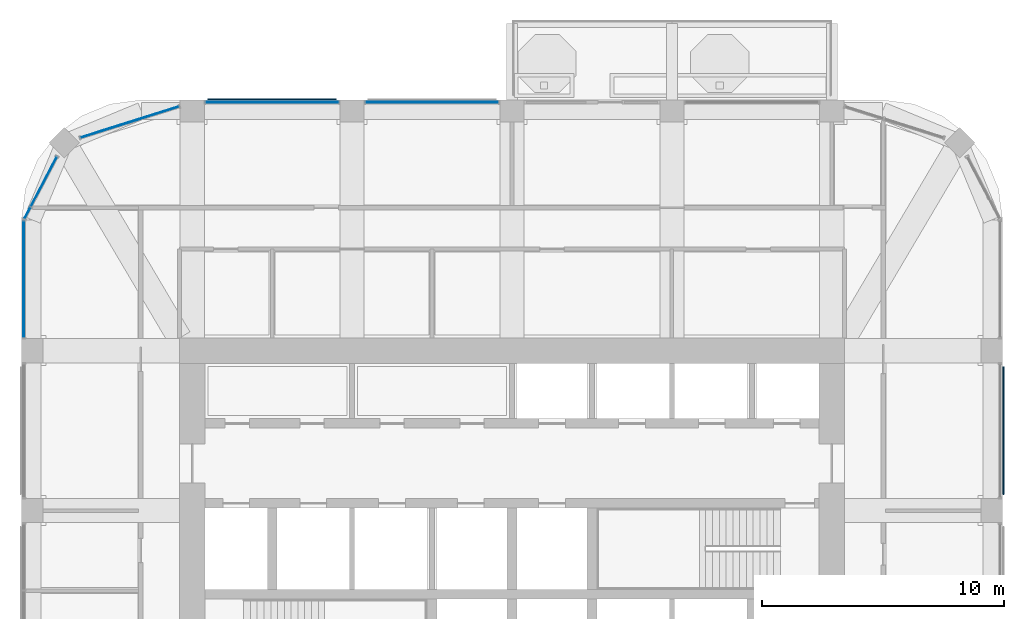
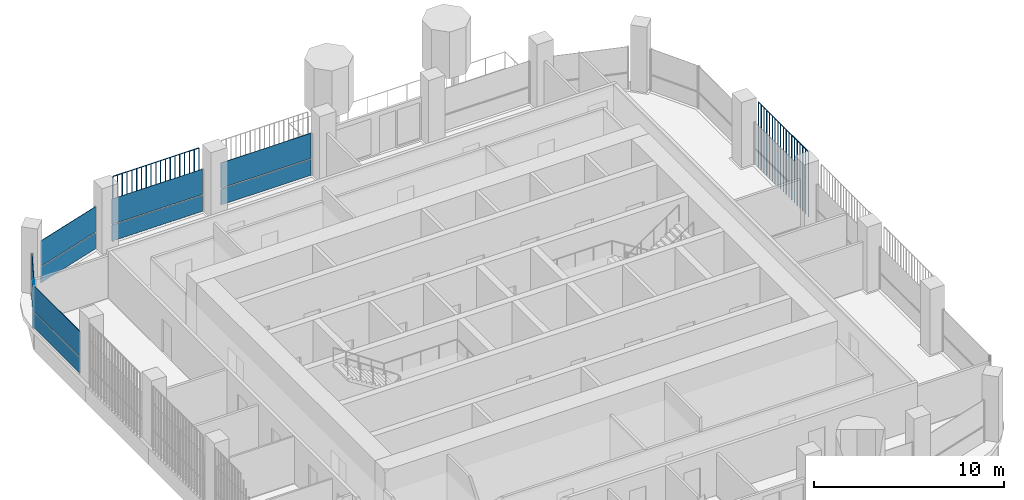
# One storey, part 12 of 21: 14 plates, 5 elements without a shape of their own.
"""IFC4 building model written with IfcOpenShell, lengths in metres."""

from ifc_helpers import new_model, si_unit, direction, frame, origin, origin_2d, place, context, subcontext, project, spatial, polyline, rectangle, outline, extrude, material, layer, layer_set, type_object, element, aggregate, save


model = new_model("IFC4")

# Units and contexts
model_context = context("Model", 3, precision=1e-05, world=origin(), true_north=direction((0.0, 1.0)))
body_context = subcontext(model_context, "Body", "Model", "MODEL_VIEW")
ifc_project = project(units=[si_unit("LENGTHUNIT", "METRE"), si_unit("AREAUNIT", "SQUARE_METRE"), si_unit("VOLUMEUNIT", "CUBIC_METRE"), si_unit("PLANEANGLEUNIT", "RADIAN"), si_unit("MASSUNIT", "GRAM", prefix="KILO")], contexts=[model_context])

# Site, building, storey
site_placement = place(None, origin())
site = spatial("IfcSite", under=ifc_project, at=site_placement, CompositionType="ELEMENT")
building_placement = place(site_placement, origin())
building = spatial("IfcBuilding", under=site, at=building_placement, Name="Cobogo Forest Laboratory Tower", CompositionType="ELEMENT")
storey_placement = place(building_placement, frame((0.0, 0.0, 258.60009765625)))
storey = spatial("IfcBuildingStorey", under=building, at=storey_placement, Name="L59", CompositionType="ELEMENT", Elevation=258.60009765625)

# Curtain wall, plates
ifc_material_1 = material(Name="Aluminium curtain wall", Category="aluminium")
curtain_wall_type = type_object("IfcCurtainWallType", Name="CW-2 unitised curtain wall, solar control glazing, laboratory floors zones C and D", PredefinedType="USERDEFINED", material=ifc_material_1)
curtain_wall_1_placement = place(storey_placement, origin())
curtain_wall_1 = element("IfcCurtainWall", 1, at=curtain_wall_1_placement, inside=storey, type_object=curtain_wall_type, Name="Curtain wall 16 L59", ObjectType="UNITISED CURTAIN WALL", PredefinedType="USERDEFINED")
ifc_material_2 = material(Name="Solar control insulated glass", Category="glass")
ifc_layer = layer(ifc_material_2, 0.031982421875)
ifc_layer_set = layer_set([ifc_layer], Name="GP-2 solar control glass unit 32")
plate_type_1 = type_object("IfcPlateType", Name="GP-2 solar control glass unit 32", PredefinedType="CURTAIN_PANEL", material=ifc_layer_set)
plate_1_placement = place(storey_placement, frame((23.10009765625, 43.25, 0.0), z_axis=(0.0, 0.0, 1.0), x_axis=(-1.0, 0.0, 0.0)))
plate_1 = element("IfcPlate", 2, at=plate_1_placement, type_object=plate_type_1, Name="CW-2 panel 1.1", PredefinedType="CURTAIN_PANEL", context=body_context, shape_type="SweptSolid", body=[
    extrude(rectangle(XDim=5.47998046875, YDim=0.031982421875, at=origin_2d()), origin(), (0.0, 0.0, 1.0), 1.02001953125),
])
plate_2_placement = place(storey_placement, frame((23.10009765625, 43.25, 1.079833984375), z_axis=(0.0, 0.0, 1.0), x_axis=(-1.0, 0.0, 0.0)))
plate_2 = element("IfcPlate", 3, at=plate_2_placement, type_object=plate_type_1, Name="CW-2 panel 1.2", PredefinedType="CURTAIN_PANEL", context=body_context, shape_type="SweptSolid", body=[
    extrude(rectangle(XDim=5.47998046875, YDim=0.031982421875, at=origin_2d()), origin(), (0.0, 0.0, 1.0), 1.6201171875),
])
aggregate(curtain_wall_1, [plate_1, plate_2])

curtain_wall_2_placement = place(storey_placement, origin())
curtain_wall_2 = element("IfcCurtainWall", 4, at=curtain_wall_2_placement, inside=storey, type_object=curtain_wall_type, Name="Curtain wall 17 L59", ObjectType="UNITISED CURTAIN WALL", PredefinedType="USERDEFINED")
plate_3_placement = place(storey_placement, frame((16.5, 43.25, 0.0), z_axis=(0.0, 0.0, 1.0), x_axis=(-1.0, 0.0, 0.0)))
plate_3 = element("IfcPlate", 5, at=plate_3_placement, type_object=plate_type_1, Name="CW-2 panel 1.1", PredefinedType="CURTAIN_PANEL", context=body_context, shape_type="SweptSolid", body=[
    extrude(rectangle(XDim=5.47998046875, YDim=0.031982421875, at=origin_2d()), origin(), (0.0, 0.0, 1.0), 1.02001953125),
])
plate_4_placement = place(storey_placement, frame((16.5, 43.25, 1.079833984375), z_axis=(0.0, 0.0, 1.0), x_axis=(-1.0, 0.0, 0.0)))
plate_4 = element("IfcPlate", 6, at=plate_4_placement, type_object=plate_type_1, Name="CW-2 panel 1.2", PredefinedType="CURTAIN_PANEL", context=body_context, shape_type="SweptSolid", body=[
    extrude(rectangle(XDim=5.47998046875, YDim=0.031982421875, at=origin_2d()), origin(), (0.0, 0.0, 1.0), 1.6201171875),
])
aggregate(curtain_wall_2, [plate_3, plate_4])

curtain_wall_3_placement = place(storey_placement, origin())
curtain_wall_3 = element("IfcCurtainWall", 7, at=curtain_wall_3_placement, inside=storey, type_object=curtain_wall_type, Name="Curtain wall 18 L59", ObjectType="UNITISED CURTAIN WALL", PredefinedType="USERDEFINED")
plate_5_placement = place(storey_placement, frame((10.62060546875, 42.435546875, 0.0), z_axis=(0.0, 0.0, 1.0), x_axis=(-0.953581379409, -0.301135439371, 0.0)))
plate_5 = element("IfcPlate", 8, at=plate_5_placement, type_object=plate_type_1, Name="CW-2 panel 1.1", PredefinedType="CURTAIN_PANEL", context=body_context, shape_type="SweptSolid", body=[
    extrude(rectangle(XDim=4.240966796875, YDim=0.031982421875, at=origin_2d()), origin(), (0.0, 0.0, 1.0), 1.02001953125),
])
plate_6_placement = place(storey_placement, frame((10.62060546875, 42.435546875, 1.079833984375), z_axis=(0.0, 0.0, 1.0), x_axis=(-0.953581379409, -0.301135439371, 0.0)))
plate_6 = element("IfcPlate", 9, at=plate_6_placement, type_object=plate_type_1, Name="CW-2 panel 1.2", PredefinedType="CURTAIN_PANEL", context=body_context, shape_type="SweptSolid", body=[
    extrude(rectangle(XDim=4.240966796875, YDim=0.031982421875, at=origin_2d()), origin(), (0.0, 0.0, 1.0), 1.6201171875),
])
aggregate(curtain_wall_3, [plate_5, plate_6])

curtain_wall_4_placement = place(storey_placement, origin())
curtain_wall_4 = element("IfcCurtainWall", 10, at=curtain_wall_4_placement, inside=storey, type_object=curtain_wall_type, Name="Curtain wall 19 L59", ObjectType="UNITISED CURTAIN WALL", PredefinedType="USERDEFINED")
plate_7_placement = place(storey_placement, frame((7.076904296875, 39.977294921875, 0.0), z_axis=(0.0, 0.0, 1.0), x_axis=(-0.464283778337, -0.885686498245, 0.0)))
plate_7 = element("IfcPlate", 11, at=plate_7_placement, type_object=plate_type_1, Name="CW-2 panel 1.1", PredefinedType="CURTAIN_PANEL", context=body_context, shape_type="SweptSolid", body=[
    extrude(rectangle(XDim=2.28857421875, YDim=0.031982421875, at=origin_2d()), origin(), (0.0, 0.0, 1.0), 1.02001953125),
])
plate_8_placement = place(storey_placement, frame((7.076904296875, 39.977294921875, 1.079833984375), z_axis=(0.0, 0.0, 1.0), x_axis=(-0.464283778337, -0.885686498245, 0.0)))
plate_8 = element("IfcPlate", 12, at=plate_8_placement, type_object=plate_type_1, Name="CW-2 panel 1.2", PredefinedType="CURTAIN_PANEL", context=body_context, shape_type="SweptSolid", body=[
    extrude(rectangle(XDim=2.28857421875, YDim=0.031982421875, at=origin_2d()), origin(), (0.0, 0.0, 1.0), 1.6201171875),
])
plate_9_placement = place(storey_placement, frame((6.397705078125, 38.681884765625, 0.0), z_axis=(0.0, 0.0, 1.0), x_axis=(-0.464283778337, -0.885686498245, 0.0)))
plate_9 = element("IfcPlate", 13, at=plate_9_placement, type_object=plate_type_1, Name="CW-2 panel 2.1", PredefinedType="CURTAIN_PANEL", context=body_context, shape_type="SweptSolid", body=[
    extrude(rectangle(XDim=0.516357421875, YDim=0.031982421875, at=origin_2d()), origin(), (0.0, 0.0, 1.0), 1.02001953125),
])
plate_10_placement = place(storey_placement, frame((6.397705078125, 38.681884765625, 1.079833984375), z_axis=(0.0, 0.0, 1.0), x_axis=(-0.464283778337, -0.885686498245, 0.0)))
plate_10 = element("IfcPlate", 14, at=plate_10_placement, type_object=plate_type_1, Name="CW-2 panel 2.2", PredefinedType="CURTAIN_PANEL", context=body_context, shape_type="SweptSolid", body=[
    extrude(rectangle(XDim=0.516357421875, YDim=0.031982421875, at=origin_2d()), origin(), (0.0, 0.0, 1.0), 1.6201171875),
])
aggregate(curtain_wall_4, [plate_7, plate_8, plate_9, plate_10])

curtain_wall_5_placement = place(storey_placement, origin())
curtain_wall_5 = element("IfcCurtainWall", 15, at=curtain_wall_5_placement, inside=storey, type_object=curtain_wall_type, Name="Curtain wall 20 L59", ObjectType="UNITISED CURTAIN WALL", PredefinedType="USERDEFINED")
plate_11_placement = place(storey_placement, frame((6.25, 35.949951171875, 0.0), z_axis=(0.0, 0.0, 1.0), x_axis=(0.0, -1.0, 0.0)))
plate_11 = element("IfcPlate", 16, at=plate_11_placement, type_object=plate_type_1, Name="CW-2 panel 1.1", PredefinedType="CURTAIN_PANEL", context=body_context, shape_type="SweptSolid", body=[
    extrude(rectangle(XDim=4.780029296875, YDim=0.031982421875, at=origin_2d()), origin(), (0.0, 0.0, 1.0), 1.02001953125),
])
plate_12_placement = place(storey_placement, frame((6.25, 35.949951171875, 1.079833984375), z_axis=(0.0, 0.0, 1.0), x_axis=(0.0, -1.0, 0.0)))
plate_12 = element("IfcPlate", 17, at=plate_12_placement, type_object=plate_type_1, Name="CW-2 panel 1.2", PredefinedType="CURTAIN_PANEL", context=body_context, shape_type="SweptSolid", body=[
    extrude(rectangle(XDim=4.780029296875, YDim=0.031982421875, at=origin_2d()), origin(), (0.0, 0.0, 1.0), 1.6201171875),
])
aggregate(curtain_wall_5, [plate_11, plate_12])

# Plates
ifc_material_3 = material(Name="Terracotta", Category="masonry")
plate_type_2 = type_object("IfcPlateType", Name="TB1 terracotta baguette screen", PredefinedType="USERDEFINED", material=ifc_material_3)
plate_13_placement = place(storey_placement, frame((46.677978515625, 27.081298828125, -0.150146484375)))
element("IfcPlate", 18, at=plate_13_placement, inside=storey, type_object=plate_type_2, Name="Baguette screen E3 L59", ObjectType="BAGUETTE SCREEN", PredefinedType="USERDEFINED", context=body_context, shape_type="SweptSolid", body=[
    extrude(outline(polyline([(0.02880859375, 0.011962890625), (0.011962890625, 0.02880859375), (-0.011962890625, 0.02880859375), (-0.02880859375, 0.011962890625), (-0.02880859375, -0.011962890625), (-0.011962890625, -0.02880859375), (0.011962890625, -0.02880859375), (0.02880859375, -0.011962890625), (0.02880859375, 0.011962890625)])), frame((0.0, 0.0, 4.168701171875), z_axis=(0.0, 1.0, 0.0), x_axis=(-1.0, 0.0, 0.0)), (0.0, 0.0, 1.0), 5.237548828125),
    extrude(outline(polyline([(0.02880859375, 0.011962890625), (0.011962890625, 0.02880859375), (-0.011962890625, 0.02880859375), (-0.02880859375, 0.011962890625), (-0.02880859375, -0.011962890625), (-0.011962890625, -0.02880859375), (0.011962890625, -0.02880859375), (0.02880859375, -0.011962890625), (0.02880859375, 0.011962890625)])), origin(), (0.0, 0.0, 1.0), 4.137451171875),
    extrude(outline(polyline([(0.02880859375, 0.011962890625), (0.011962890625, 0.02880859375), (-0.011962890625, 0.02880859375), (-0.02880859375, 0.011962890625), (-0.02880859375, -0.011962890625), (-0.011962890625, -0.02880859375), (0.011962890625, -0.02880859375), (0.02880859375, -0.011962890625), (0.02880859375, 0.011962890625)])), frame((0.0, 0.291015625, 0.0)), (0.0, 0.0, 1.0), 4.137451171875),
    extrude(outline(polyline([(0.02880859375, 0.011962890625), (0.011962890625, 0.02880859375), (-0.011962890625, 0.02880859375), (-0.02880859375, 0.011962890625), (-0.02880859375, -0.011962890625), (-0.011962890625, -0.02880859375), (0.011962890625, -0.02880859375), (0.02880859375, -0.011962890625), (0.02880859375, 0.011962890625)])), frame((0.0, 0.58203125, 0.0)), (0.0, 0.0, 1.0), 4.137451171875),
    extrude(outline(polyline([(0.02880859375, 0.011962890625), (0.011962890625, 0.02880859375), (-0.011962890625, 0.02880859375), (-0.02880859375, 0.011962890625), (-0.02880859375, -0.011962890625), (-0.011962890625, -0.02880859375), (0.011962890625, -0.02880859375), (0.02880859375, -0.011962890625), (0.02880859375, 0.011962890625)])), frame((0.0, 0.873046875, 0.0)), (0.0, 0.0, 1.0), 4.137451171875),
    extrude(outline(polyline([(0.02880859375, 0.011962890625), (0.011962890625, 0.02880859375), (-0.011962890625, 0.02880859375), (-0.02880859375, 0.011962890625), (-0.02880859375, -0.011962890625), (-0.011962890625, -0.02880859375), (0.011962890625, -0.02880859375), (0.02880859375, -0.011962890625), (0.02880859375, 0.011962890625)])), frame((0.0, 1.163818359375, 0.0)), (0.0, 0.0, 1.0), 4.137451171875),
    extrude(outline(polyline([(0.02880859375, 0.011962890625), (0.011962890625, 0.02880859375), (-0.011962890625, 0.02880859375), (-0.02880859375, 0.011962890625), (-0.02880859375, -0.011962890625), (-0.011962890625, -0.02880859375), (0.011962890625, -0.02880859375), (0.02880859375, -0.011962890625), (0.02880859375, 0.011962890625)])), frame((0.0, 1.454833984375, 0.0)), (0.0, 0.0, 1.0), 4.137451171875),
    extrude(outline(polyline([(0.02880859375, 0.011962890625), (0.011962890625, 0.02880859375), (-0.011962890625, 0.02880859375), (-0.02880859375, 0.011962890625), (-0.02880859375, -0.011962890625), (-0.011962890625, -0.02880859375), (0.011962890625, -0.02880859375), (0.02880859375, -0.011962890625), (0.02880859375, 0.011962890625)])), frame((0.0, 1.745849609375, 0.0)), (0.0, 0.0, 1.0), 4.137451171875),
    extrude(outline(polyline([(0.02880859375, 0.011962890625), (0.011962890625, 0.02880859375), (-0.011962890625, 0.02880859375), (-0.02880859375, 0.011962890625), (-0.02880859375, -0.011962890625), (-0.011962890625, -0.02880859375), (0.011962890625, -0.02880859375), (0.02880859375, -0.011962890625), (0.02880859375, 0.011962890625)])), frame((0.0, 2.036865234375, 0.0)), (0.0, 0.0, 1.0), 4.137451171875),
    extrude(outline(polyline([(0.02880859375, 0.011962890625), (0.011962890625, 0.02880859375), (-0.011962890625, 0.02880859375), (-0.02880859375, 0.011962890625), (-0.02880859375, -0.011962890625), (-0.011962890625, -0.02880859375), (0.011962890625, -0.02880859375), (0.02880859375, -0.011962890625), (0.02880859375, 0.011962890625)])), frame((0.0, 2.327880859375, 0.0)), (0.0, 0.0, 1.0), 4.137451171875),
    extrude(outline(polyline([(0.02880859375, 0.011962890625), (0.011962890625, 0.02880859375), (-0.011962890625, 0.02880859375), (-0.02880859375, 0.011962890625), (-0.02880859375, -0.011962890625), (-0.011962890625, -0.02880859375), (0.011962890625, -0.02880859375), (0.02880859375, -0.011962890625), (0.02880859375, 0.011962890625)])), frame((0.0, 2.61865234375, 0.0)), (0.0, 0.0, 1.0), 4.137451171875),
    extrude(outline(polyline([(0.02880859375, 0.011962890625), (0.011962890625, 0.02880859375), (-0.011962890625, 0.02880859375), (-0.02880859375, 0.011962890625), (-0.02880859375, -0.011962890625), (-0.011962890625, -0.02880859375), (0.011962890625, -0.02880859375), (0.02880859375, -0.011962890625), (0.02880859375, 0.011962890625)])), frame((0.0, 2.90966796875, 0.0)), (0.0, 0.0, 1.0), 4.137451171875),
    extrude(outline(polyline([(0.02880859375, 0.011962890625), (0.011962890625, 0.02880859375), (-0.011962890625, 0.02880859375), (-0.02880859375, 0.011962890625), (-0.02880859375, -0.011962890625), (-0.011962890625, -0.02880859375), (0.011962890625, -0.02880859375), (0.02880859375, -0.011962890625), (0.02880859375, 0.011962890625)])), frame((0.0, 3.20068359375, 0.0)), (0.0, 0.0, 1.0), 4.137451171875),
    extrude(outline(polyline([(0.02880859375, 0.011962890625), (0.011962890625, 0.02880859375), (-0.011962890625, 0.02880859375), (-0.02880859375, 0.011962890625), (-0.02880859375, -0.011962890625), (-0.011962890625, -0.02880859375), (0.011962890625, -0.02880859375), (0.02880859375, -0.011962890625), (0.02880859375, 0.011962890625)])), frame((0.0, 3.49169921875, 0.0)), (0.0, 0.0, 1.0), 4.137451171875),
    extrude(outline(polyline([(0.02880859375, 0.011962890625), (0.011962890625, 0.02880859375), (-0.011962890625, 0.02880859375), (-0.02880859375, 0.011962890625), (-0.02880859375, -0.011962890625), (-0.011962890625, -0.02880859375), (0.011962890625, -0.02880859375), (0.02880859375, -0.011962890625), (0.02880859375, 0.011962890625)])), frame((0.0, 3.78271484375, 0.0)), (0.0, 0.0, 1.0), 4.137451171875),
    extrude(outline(polyline([(0.02880859375, 0.011962890625), (0.011962890625, 0.02880859375), (-0.011962890625, 0.02880859375), (-0.02880859375, 0.011962890625), (-0.02880859375, -0.011962890625), (-0.011962890625, -0.02880859375), (0.011962890625, -0.02880859375), (0.02880859375, -0.011962890625), (0.02880859375, 0.011962890625)])), frame((0.0, 4.07373046875, 0.0)), (0.0, 0.0, 1.0), 4.137451171875),
    extrude(outline(polyline([(0.02880859375, 0.011962890625), (0.011962890625, 0.02880859375), (-0.011962890625, 0.02880859375), (-0.02880859375, 0.011962890625), (-0.02880859375, -0.011962890625), (-0.011962890625, -0.02880859375), (0.011962890625, -0.02880859375), (0.02880859375, -0.011962890625), (0.02880859375, 0.011962890625)])), frame((0.0, 4.36474609375, 0.0)), (0.0, 0.0, 1.0), 4.137451171875),
    extrude(outline(polyline([(0.02880859375, 0.011962890625), (0.011962890625, 0.02880859375), (-0.011962890625, 0.02880859375), (-0.02880859375, 0.011962890625), (-0.02880859375, -0.011962890625), (-0.011962890625, -0.02880859375), (0.011962890625, -0.02880859375), (0.02880859375, -0.011962890625), (0.02880859375, 0.011962890625)])), frame((0.0, 4.655517578125, 0.0)), (0.0, 0.0, 1.0), 4.137451171875),
    extrude(outline(polyline([(0.02880859375, 0.011962890625), (0.011962890625, 0.02880859375), (-0.011962890625, 0.02880859375), (-0.02880859375, 0.011962890625), (-0.02880859375, -0.011962890625), (-0.011962890625, -0.02880859375), (0.011962890625, -0.02880859375), (0.02880859375, -0.011962890625), (0.02880859375, 0.011962890625)])), frame((0.0, 4.946533203125, 0.0)), (0.0, 0.0, 1.0), 4.137451171875),
    extrude(outline(polyline([(0.02880859375, 0.011962890625), (0.011962890625, 0.02880859375), (-0.011962890625, 0.02880859375), (-0.02880859375, 0.011962890625), (-0.02880859375, -0.011962890625), (-0.011962890625, -0.02880859375), (0.011962890625, -0.02880859375), (0.02880859375, -0.011962890625), (0.02880859375, 0.011962890625)])), frame((0.0, 5.237548828125, 0.0)), (0.0, 0.0, 1.0), 4.137451171875),
])
plate_14_placement = place(storey_placement, frame((13.88134765625, 43.3779296875, -0.150146484375)))
element("IfcPlate", 19, at=plate_14_placement, inside=storey, type_object=plate_type_2, Name="Baguette screen N1 L59", ObjectType="BAGUETTE SCREEN", PredefinedType="USERDEFINED", context=body_context, shape_type="SweptSolid", body=[
    extrude(outline(polyline([(0.02880859375, 0.011962890625), (0.011962890625, 0.02880859375), (-0.011962890625, 0.02880859375), (-0.02880859375, 0.011962890625), (-0.02880859375, -0.011962890625), (-0.011962890625, -0.02880859375), (0.011962890625, -0.02880859375), (0.02880859375, -0.011962890625), (0.02880859375, 0.011962890625)])), frame((0.0, 0.0, 4.168701171875), z_axis=(1.0, 0.0, 0.0), x_axis=(0.0, 1.0, 0.0)), (0.0, 0.0, 1.0), 5.2373046875),
    extrude(outline(polyline([(0.02880859375, 0.011962890625), (0.011962890625, 0.02880859375), (-0.011962890625, 0.02880859375), (-0.02880859375, 0.011962890625), (-0.02880859375, -0.011962890625), (-0.011962890625, -0.02880859375), (0.011962890625, -0.02880859375), (0.02880859375, -0.011962890625), (0.02880859375, 0.011962890625)])), origin(), (0.0, 0.0, 1.0), 4.137451171875),
    extrude(outline(polyline([(0.02880859375, 0.011962890625), (0.011962890625, 0.02880859375), (-0.011962890625, 0.02880859375), (-0.02880859375, 0.011962890625), (-0.02880859375, -0.011962890625), (-0.011962890625, -0.02880859375), (0.011962890625, -0.02880859375), (0.02880859375, -0.011962890625), (0.02880859375, 0.011962890625)])), frame((0.291015625, 0.0, 0.0)), (0.0, 0.0, 1.0), 4.137451171875),
    extrude(outline(polyline([(0.02880859375, 0.011962890625), (0.011962890625, 0.02880859375), (-0.011962890625, 0.02880859375), (-0.02880859375, 0.011962890625), (-0.02880859375, -0.011962890625), (-0.011962890625, -0.02880859375), (0.011962890625, -0.02880859375), (0.02880859375, -0.011962890625), (0.02880859375, 0.011962890625)])), frame((0.58203125, 0.0, 0.0)), (0.0, 0.0, 1.0), 4.137451171875),
    extrude(outline(polyline([(0.02880859375, 0.011962890625), (0.011962890625, 0.02880859375), (-0.011962890625, 0.02880859375), (-0.02880859375, 0.011962890625), (-0.02880859375, -0.011962890625), (-0.011962890625, -0.02880859375), (0.011962890625, -0.02880859375), (0.02880859375, -0.011962890625), (0.02880859375, 0.011962890625)])), frame((0.872802734375, 0.0, 0.0)), (0.0, 0.0, 1.0), 4.137451171875),
    extrude(outline(polyline([(0.02880859375, 0.011962890625), (0.011962890625, 0.02880859375), (-0.011962890625, 0.02880859375), (-0.02880859375, 0.011962890625), (-0.02880859375, -0.011962890625), (-0.011962890625, -0.02880859375), (0.011962890625, -0.02880859375), (0.02880859375, -0.011962890625), (0.02880859375, 0.011962890625)])), frame((1.163818359375, 0.0, 0.0)), (0.0, 0.0, 1.0), 4.137451171875),
    extrude(outline(polyline([(0.02880859375, 0.011962890625), (0.011962890625, 0.02880859375), (-0.011962890625, 0.02880859375), (-0.02880859375, 0.011962890625), (-0.02880859375, -0.011962890625), (-0.011962890625, -0.02880859375), (0.011962890625, -0.02880859375), (0.02880859375, -0.011962890625), (0.02880859375, 0.011962890625)])), frame((1.454833984375, 0.0, 0.0)), (0.0, 0.0, 1.0), 4.137451171875),
    extrude(outline(polyline([(0.02880859375, 0.011962890625), (0.011962890625, 0.02880859375), (-0.011962890625, 0.02880859375), (-0.02880859375, 0.011962890625), (-0.02880859375, -0.011962890625), (-0.011962890625, -0.02880859375), (0.011962890625, -0.02880859375), (0.02880859375, -0.011962890625), (0.02880859375, 0.011962890625)])), frame((1.745849609375, 0.0, 0.0)), (0.0, 0.0, 1.0), 4.137451171875),
    extrude(outline(polyline([(0.02880859375, 0.011962890625), (0.011962890625, 0.02880859375), (-0.011962890625, 0.02880859375), (-0.02880859375, 0.011962890625), (-0.02880859375, -0.011962890625), (-0.011962890625, -0.02880859375), (0.011962890625, -0.02880859375), (0.02880859375, -0.011962890625), (0.02880859375, 0.011962890625)])), frame((2.03662109375, 0.0, 0.0)), (0.0, 0.0, 1.0), 4.137451171875),
    extrude(outline(polyline([(0.02880859375, 0.011962890625), (0.011962890625, 0.02880859375), (-0.011962890625, 0.02880859375), (-0.02880859375, 0.011962890625), (-0.02880859375, -0.011962890625), (-0.011962890625, -0.02880859375), (0.011962890625, -0.02880859375), (0.02880859375, -0.011962890625), (0.02880859375, 0.011962890625)])), frame((2.32763671875, 0.0, 0.0)), (0.0, 0.0, 1.0), 4.137451171875),
    extrude(outline(polyline([(0.02880859375, 0.011962890625), (0.011962890625, 0.02880859375), (-0.011962890625, 0.02880859375), (-0.02880859375, 0.011962890625), (-0.02880859375, -0.011962890625), (-0.011962890625, -0.02880859375), (0.011962890625, -0.02880859375), (0.02880859375, -0.011962890625), (0.02880859375, 0.011962890625)])), frame((2.61865234375, 0.0, 0.0)), (0.0, 0.0, 1.0), 4.137451171875),
    extrude(outline(polyline([(0.02880859375, 0.011962890625), (0.011962890625, 0.02880859375), (-0.011962890625, 0.02880859375), (-0.02880859375, 0.011962890625), (-0.02880859375, -0.011962890625), (-0.011962890625, -0.02880859375), (0.011962890625, -0.02880859375), (0.02880859375, -0.011962890625), (0.02880859375, 0.011962890625)])), frame((2.90966796875, 0.0, 0.0)), (0.0, 0.0, 1.0), 4.137451171875),
    extrude(outline(polyline([(0.02880859375, 0.011962890625), (0.011962890625, 0.02880859375), (-0.011962890625, 0.02880859375), (-0.02880859375, 0.011962890625), (-0.02880859375, -0.011962890625), (-0.011962890625, -0.02880859375), (0.011962890625, -0.02880859375), (0.02880859375, -0.011962890625), (0.02880859375, 0.011962890625)])), frame((3.20068359375, 0.0, 0.0)), (0.0, 0.0, 1.0), 4.137451171875),
    extrude(outline(polyline([(0.02880859375, 0.011962890625), (0.011962890625, 0.02880859375), (-0.011962890625, 0.02880859375), (-0.02880859375, 0.011962890625), (-0.02880859375, -0.011962890625), (-0.011962890625, -0.02880859375), (0.011962890625, -0.02880859375), (0.02880859375, -0.011962890625), (0.02880859375, 0.011962890625)])), frame((3.491455078125, 0.0, 0.0)), (0.0, 0.0, 1.0), 4.137451171875),
    extrude(outline(polyline([(0.02880859375, 0.011962890625), (0.011962890625, 0.02880859375), (-0.011962890625, 0.02880859375), (-0.02880859375, 0.011962890625), (-0.02880859375, -0.011962890625), (-0.011962890625, -0.02880859375), (0.011962890625, -0.02880859375), (0.02880859375, -0.011962890625), (0.02880859375, 0.011962890625)])), frame((3.782470703125, 0.0, 0.0)), (0.0, 0.0, 1.0), 4.137451171875),
    extrude(outline(polyline([(0.02880859375, 0.011962890625), (0.011962890625, 0.02880859375), (-0.011962890625, 0.02880859375), (-0.02880859375, 0.011962890625), (-0.02880859375, -0.011962890625), (-0.011962890625, -0.02880859375), (0.011962890625, -0.02880859375), (0.02880859375, -0.011962890625), (0.02880859375, 0.011962890625)])), frame((4.073486328125, 0.0, 0.0)), (0.0, 0.0, 1.0), 4.137451171875),
    extrude(outline(polyline([(0.02880859375, 0.011962890625), (0.011962890625, 0.02880859375), (-0.011962890625, 0.02880859375), (-0.02880859375, 0.011962890625), (-0.02880859375, -0.011962890625), (-0.011962890625, -0.02880859375), (0.011962890625, -0.02880859375), (0.02880859375, -0.011962890625), (0.02880859375, 0.011962890625)])), frame((4.364501953125, 0.0, 0.0)), (0.0, 0.0, 1.0), 4.137451171875),
    extrude(outline(polyline([(0.02880859375, 0.011962890625), (0.011962890625, 0.02880859375), (-0.011962890625, 0.02880859375), (-0.02880859375, 0.011962890625), (-0.02880859375, -0.011962890625), (-0.011962890625, -0.02880859375), (0.011962890625, -0.02880859375), (0.02880859375, -0.011962890625), (0.02880859375, 0.011962890625)])), frame((4.6552734375, 0.0, 0.0)), (0.0, 0.0, 1.0), 4.137451171875),
    extrude(outline(polyline([(0.02880859375, 0.011962890625), (0.011962890625, 0.02880859375), (-0.011962890625, 0.02880859375), (-0.02880859375, 0.011962890625), (-0.02880859375, -0.011962890625), (-0.011962890625, -0.02880859375), (0.011962890625, -0.02880859375), (0.02880859375, -0.011962890625), (0.02880859375, 0.011962890625)])), frame((4.9462890625, 0.0, 0.0)), (0.0, 0.0, 1.0), 4.137451171875),
    extrude(outline(polyline([(0.02880859375, 0.011962890625), (0.011962890625, 0.02880859375), (-0.011962890625, 0.02880859375), (-0.02880859375, 0.011962890625), (-0.02880859375, -0.011962890625), (-0.011962890625, -0.02880859375), (0.011962890625, -0.02880859375), (0.02880859375, -0.011962890625), (0.02880859375, 0.011962890625)])), frame((5.2373046875, 0.0, 0.0)), (0.0, 0.0, 1.0), 4.137451171875),
])

save(model, "model.ifc")
